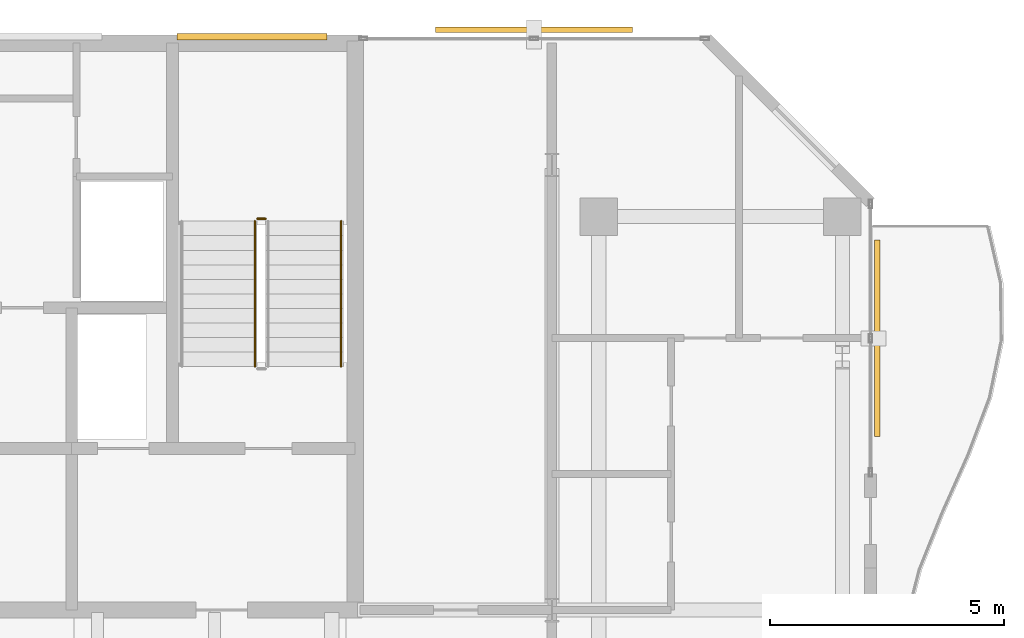
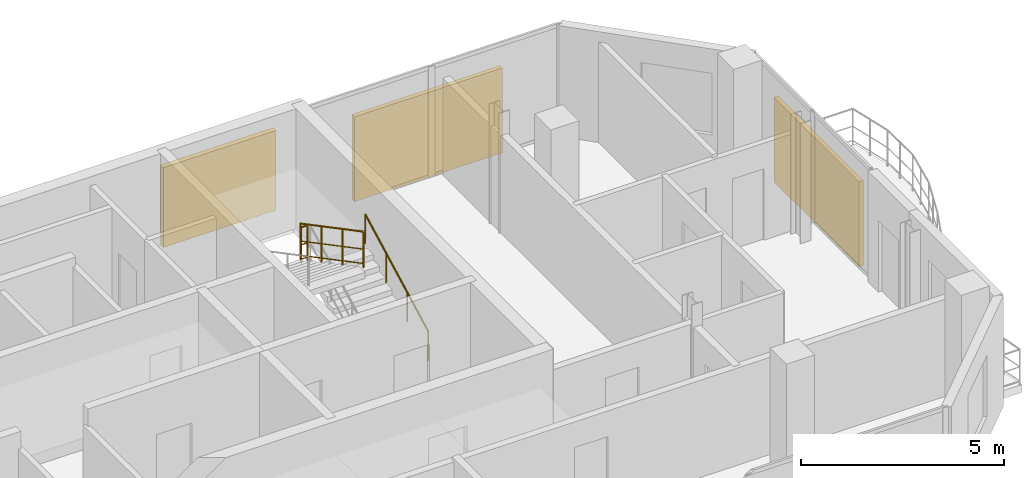
# One storey, part 23 of 23: 3 railings, 3 shading devices.
"""IFC4 building model written with IfcOpenShell, lengths in metres."""

from ifc_helpers import new_model, si_unit, direction, frame, origin, origin_2d, place, context, subcontext, project, spatial, rectangle, circle, extrude, material, type_object, element, save


model = new_model("IFC4")

# Units and contexts
model_context = context("Model", 3, precision=1e-05, world=origin(), true_north=direction((0.0, 1.0)))
body_context = subcontext(model_context, "Body", "Model", "MODEL_VIEW")
ifc_project = project(units=[si_unit("LENGTHUNIT", "METRE"), si_unit("AREAUNIT", "SQUARE_METRE"), si_unit("VOLUMEUNIT", "CUBIC_METRE"), si_unit("PLANEANGLEUNIT", "RADIAN"), si_unit("MASSUNIT", "GRAM", prefix="KILO")], contexts=[model_context])

# Site, building, storey
site_placement = place(None, origin())
site = spatial("IfcSite", under=ifc_project, at=site_placement, CompositionType="ELEMENT")
building_placement = place(site_placement, origin())
building = spatial("IfcBuilding", under=site, at=building_placement, Name="Catumbela Crestline Tower", CompositionType="ELEMENT")
storey_placement = place(building_placement, frame((0.0, 0.0, 172.2)))
storey = spatial("IfcBuildingStorey", under=building, at=storey_placement, Name="L44", CompositionType="ELEMENT", Elevation=172.2)

# Railings
ifc_material_1 = material(Name="Stainless steel EN 1.4401", Category="steel")
railing_type_1 = type_object("IfcRailingType", Name="RG-1100", PredefinedType="GUARDRAIL", material=ifc_material_1)
railing_1_placement = place(storey_placement, frame((38.09, 39.15, 1.8)))
element("IfcRailing", 1, at=railing_1_placement, inside=storey, type_object=railing_type_1, Name="L44 ST-02 stair guard 2", PredefinedType="GUARDRAIL", context=body_context, shape_type="SweptSolid", body=[
    extrude(circle(Radius=0.024, at=origin_2d()), frame((0.0, 0.0, 1.076), z_axis=(-1.0, 0.0, 0.0), x_axis=(0.0, -1.0, 0.0)), (0.0, 0.0, 1.0), 0.18),
    extrude(circle(Radius=0.0156, at=origin_2d()), frame((0.0, 0.0, 0.55), z_axis=(-1.0, 0.0, 0.0), x_axis=(0.0, -1.0, 0.0)), (0.0, 0.0, 1.0), 0.18),
    extrude(circle(Radius=0.0156, at=origin_2d()), frame((0.0, 0.0, 0.12), z_axis=(-1.0, 0.0, 0.0), x_axis=(0.0, -1.0, 0.0)), (0.0, 0.0, 1.0), 0.18),
    extrude(circle(Radius=0.021, at=origin_2d()), origin(), (0.0, 0.0, 1.0), 1.052),
    extrude(circle(Radius=0.021, at=origin_2d()), frame((-0.18, 0.0, 0.0)), (0.0, 0.0, 1.0), 1.052),
])
railing_2_placement = place(storey_placement, frame((37.86, 39.1, 1.9636)))
element("IfcRailing", 2, at=railing_2_placement, inside=storey, type_object=railing_type_1, Name="L44 ST-02 stair guard 3", PredefinedType="GUARDRAIL", context=body_context, shape_type="SweptSolid", body=[
    extrude(circle(Radius=0.024, at=origin_2d()), frame((0.0, 0.0, 1.076), z_axis=(0.0, -0.884350731049, 0.466823076222), x_axis=(1.0, 0.0, 0.0)), (0.0, 0.0, 1.0), 3.5054),
    extrude(circle(Radius=0.0156, at=origin_2d()), frame((0.0, 0.0, 0.55), z_axis=(0.0, -0.884350731049, 0.466823076222), x_axis=(1.0, 0.0, 0.0)), (0.0, 0.0, 1.0), 3.5054),
    extrude(circle(Radius=0.0156, at=origin_2d()), frame((0.0, 0.0, 0.12), z_axis=(0.0, -0.884350731049, 0.466823076222), x_axis=(1.0, 0.0, 0.0)), (0.0, 0.0, 1.0), 3.5054),
    extrude(circle(Radius=0.021, at=origin_2d()), origin(), (0.0, 0.0, 1.0), 1.052),
    extrude(circle(Radius=0.021, at=origin_2d()), frame((0.0, -1.0333, 0.5455)), (0.0, 0.0, 1.0), 1.052),
    extrude(circle(Radius=0.021, at=origin_2d()), frame((0.0, -2.0667, 1.0909)), (0.0, 0.0, 1.0), 1.052),
    extrude(circle(Radius=0.021, at=origin_2d()), frame((0.0, -3.1, 1.6364)), (0.0, 0.0, 1.0), 1.052),
])
railing_type_2 = type_object("IfcRailingType", Name="RH-0900", PredefinedType="HANDRAIL", material=ifc_material_1)
railing_3_placement = place(storey_placement, frame((39.7, 36.0, 0.1636)))
element("IfcRailing", 3, at=railing_3_placement, inside=storey, type_object=railing_type_2, Name="L44 ST-02 stair handrail 1", PredefinedType="HANDRAIL", context=body_context, shape_type="SweptSolid", body=[
    extrude(circle(Radius=0.024, at=origin_2d()), frame((0.0, 0.0, 0.876), z_axis=(0.0, 0.884350731049, 0.466823076222), x_axis=(-1.0, 0.0, 0.0)), (0.0, 0.0, 1.0), 3.5054),
    extrude(circle(Radius=0.021, at=origin_2d()), origin(), (0.0, 0.0, 1.0), 0.852),
    extrude(circle(Radius=0.021, at=origin_2d()), frame((0.0, 1.0333, 0.5455)), (0.0, 0.0, 1.0), 0.852),
    extrude(circle(Radius=0.021, at=origin_2d()), frame((0.0, 2.0667, 1.0909)), (0.0, 0.0, 1.0), 0.852),
    extrude(circle(Radius=0.021, at=origin_2d()), frame((0.0, 3.1, 1.6364)), (0.0, 0.0, 1.0), 0.852),
])

# Shading devices
ifc_material_2 = material(Name="Extruded terracotta ceramic", Category="masonry")
shading_device_type_1 = type_object("IfcShadingDeviceType", Name="ST-180", PredefinedType="USERDEFINED", material=ifc_material_2)
shading_device_1_placement = place(storey_placement, frame((37.8, 43.04, 0.55), z_axis=(0.0, 0.0, 1.0), x_axis=(1.0, 0.0, 0.0)))
element("IfcShadingDevice", 4, at=shading_device_1_placement, inside=storey, type_object=shading_device_type_1, Name="L44 Rear Core Terracotta Brise-Soleil Screen 495", ObjectType="SCREEN", PredefinedType="USERDEFINED", context=body_context, shape_type="SweptSolid", body=[
    extrude(rectangle(XDim=3.2, YDim=0.14, at=origin_2d()), origin(), (0.0, 0.0, 1.0), 2.4),
])
shading_device_type_2 = type_object("IfcShadingDeviceType", Name="ST-260", PredefinedType="USERDEFINED", material=ifc_material_2)
shading_device_2_placement = place(storey_placement, frame((51.143, 36.6, -0.1), z_axis=(0.0, 0.0, 1.0), x_axis=(0.0, 1.0, 0.0)))
element("IfcShadingDevice", 5, at=shading_device_2_placement, inside=storey, type_object=shading_device_type_2, Name="L44 Perforated Terracotta Solar Screen 502 (260 mm)", ObjectType="SCREEN", PredefinedType="USERDEFINED", context=body_context, shape_type="SweptSolid", body=[
    extrude(rectangle(XDim=4.2, YDim=0.12, at=origin_2d()), origin(), (0.0, 0.0, 1.0), 2.55),
])
shading_device_type_3 = type_object("IfcShadingDeviceType", Name="ST-340", PredefinedType="USERDEFINED", material=ifc_material_2)
shading_device_3_placement = place(storey_placement, frame((43.82, 43.187, -0.1), z_axis=(0.0, 0.0, 1.0), x_axis=(-1.0, 0.0, 0.0)))
element("IfcShadingDevice", 6, at=shading_device_3_placement, inside=storey, type_object=shading_device_type_3, Name="L44 Perforated Terracotta Solar Screen 503 (340 mm)", ObjectType="SCREEN", PredefinedType="USERDEFINED", context=body_context, shape_type="SweptSolid", body=[
    extrude(rectangle(XDim=4.2, YDim=0.12, at=origin_2d()), origin(), (0.0, 0.0, 1.0), 2.55),
])

save(model, "model.ifc")
